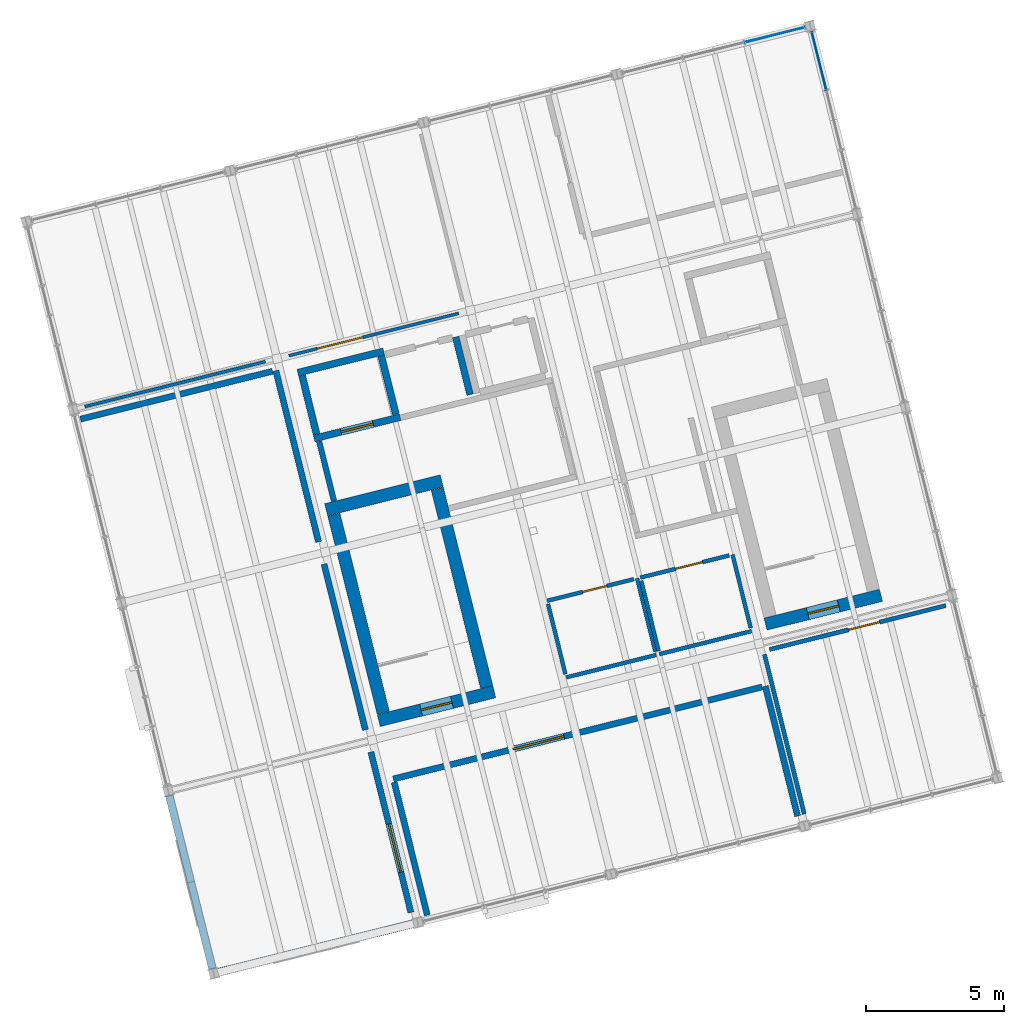
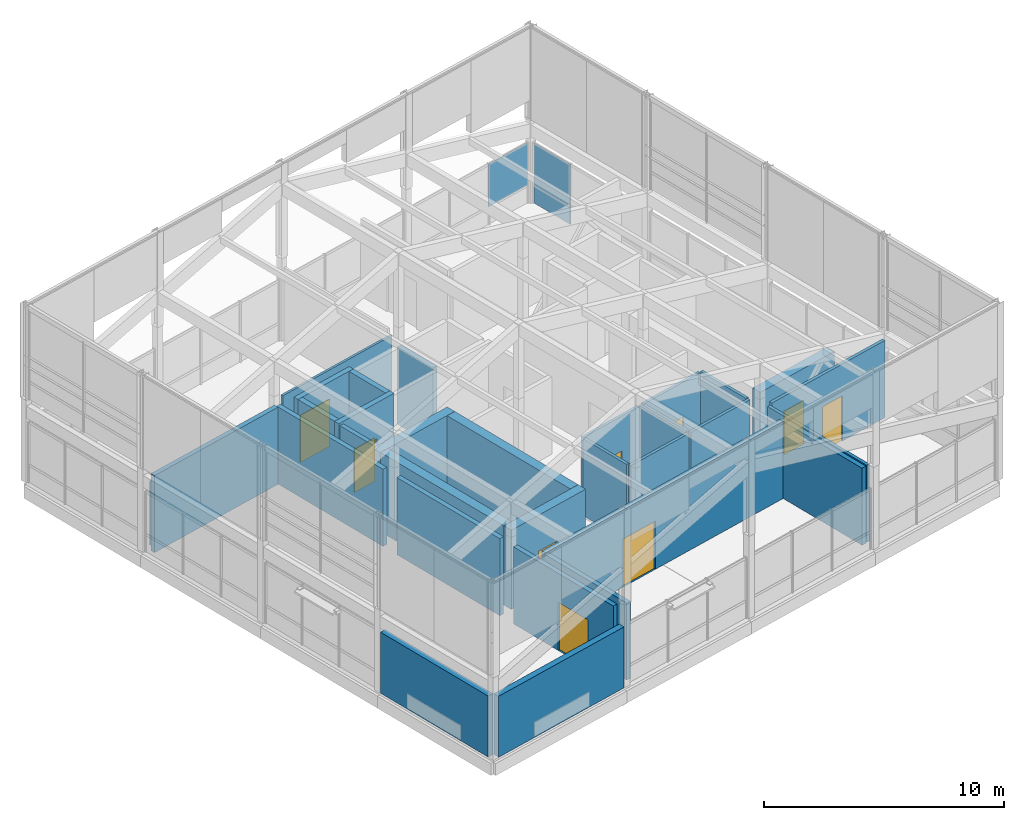
# One storey, part 29 of 31: 32 walls, 9 doors, 3 plates, 9 openings, 2 elements without a shape of their own.
"""IFC4 building model written with IfcOpenShell, lengths in metres."""

from ifc_helpers import new_model, si_unit, direction, frame, frame_2d, origin, origin_2d, place, context, subcontext, project, spatial, rectangle, extrude, material, layer, layer_set, type_object, element, fill, aggregate, save


model = new_model("IFC4")

# Units and contexts
model_context = context("Model", 3, precision=1e-05, world=origin(), true_north=direction((0.0, 1.0)))
body_context = subcontext(model_context, "Body", "Model", "MODEL_VIEW")
ifc_project = project(units=[si_unit("LENGTHUNIT", "METRE"), si_unit("AREAUNIT", "SQUARE_METRE"), si_unit("VOLUMEUNIT", "CUBIC_METRE"), si_unit("PLANEANGLEUNIT", "RADIAN"), si_unit("MASSUNIT", "GRAM", prefix="KILO")], contexts=[model_context])

# Site, building, storey
site_placement = place(None, origin())
site = spatial("IfcSite", under=ifc_project, at=site_placement, CompositionType="ELEMENT")
building_placement = place(site_placement, origin())
building = spatial("IfcBuilding", under=site, at=building_placement, Name="Meriwether Solvik Hall", CompositionType="ELEMENT")
storey_placement = place(building_placement, frame((0.0, 0.0, 61.199951171875)))
storey = spatial("IfcBuildingStorey", under=building, at=storey_placement, Name="L15", CompositionType="ELEMENT", Elevation=61.199951171875)

# Curtain wall, plate
ifc_material_1 = material(Name="Thermally Broken Anodised Aluminium 6063-T6 and Low-E Glass", Category="aluminium")
ifc_layer_1 = layer(ifc_material_1, 0.179931640625)
ifc_layer_set_1 = layer_set([ifc_layer_1], Name="Thermally Broken Anodised Aluminium 6063-T6 and Low-E Glass")
curtain_wall_type_1 = type_object("IfcCurtainWallType", Name="CW-UNIT-C", PredefinedType="USERDEFINED", material=ifc_layer_set_1)
curtain_wall_1_placement = place(storey_placement, origin())
curtain_wall_1 = element("IfcCurtainWall", 1, at=curtain_wall_1_placement, inside=storey, type_object=curtain_wall_type_1, Name="Curtain Wall E1_B3 (L15)", ObjectType="UNITISED CURTAIN WALL", PredefinedType="USERDEFINED")
ifc_material_2 = material(Name="Low-Emissivity Double-Glazed Laminated Glass", Category="glass")
ifc_layer_2 = layer(ifc_material_2, 0.031982421875)
ifc_layer_set_2 = layer_set([ifc_layer_2], Name="Low-Emissivity Double-Glazed Laminated Glass")
plate_type_1 = type_object("IfcPlateType", Name="PLT-GLZ-180X185", PredefinedType="CURTAIN_PANEL", material=ifc_layer_set_2)
plate_1_placement = place(storey_placement, frame((90.472900390625, 74.17236328125, 0.8798828125), z_axis=(0.0, 0.0, 1.0), x_axis=(0.241921925524, -0.970295718815, 0.0)))
plate_1 = element("IfcPlate", 2, at=plate_1_placement, type_object=plate_type_1, Name="Low-E Vision Glazing Panel 1", PredefinedType="CURTAIN_PANEL", context=body_context, shape_type="SweptSolid", body=[
    extrude(rectangle(XDim=2.17431640625, YDim=0.033935546875, at=origin_2d()), origin(), (0.0, 0.0, 1.0), 2.162109375),
])

ifc_material_3 = material(Name="Thermally Broken Anodised Aluminium 6063-T6 and Low-E Glass", Category="aluminium")
ifc_layer_3 = layer(ifc_material_3, 0.179931640625)
ifc_layer_set_3 = layer_set([ifc_layer_3], Name="Thermally Broken Anodised Aluminium 6063-T6 and Low-E Glass")
curtain_wall_type_2 = type_object("IfcCurtainWallType", Name="CW-UNIT-D", PredefinedType="USERDEFINED", material=ifc_layer_set_3)
curtain_wall_2_placement = place(storey_placement, origin())
curtain_wall_2 = element("IfcCurtainWall", 3, at=curtain_wall_2_placement, inside=storey, type_object=curtain_wall_type_2, Name="Curtain Wall E2_B3 (L15)", ObjectType="UNITISED CURTAIN WALL", PredefinedType="USERDEFINED")
plate_2_placement = place(storey_placement, frame((88.866455078125, 75.110107421875, 0.8798828125), z_axis=(0.0, 0.0, 1.0), x_axis=(0.970295730764, 0.241921877598, 0.0)))
plate_2 = element("IfcPlate", 4, at=plate_2_placement, type_object=plate_type_1, Name="Low-E Vision Glazing Panel 3", PredefinedType="CURTAIN_PANEL", context=body_context, shape_type="SweptSolid", body=[
    extrude(rectangle(XDim=2.240966796875, YDim=0.033935546875, at=origin_2d()), origin(), (0.0, 0.0, 1.0), 2.162109375),
])
aggregate(curtain_wall_2, [plate_2])

# Plate
ifc_material_4 = material(Name="Mineral-Wool Insulated Anodised Aluminium 6063-T6", Category="aluminium")
ifc_layer_4 = layer(ifc_material_4, 0.044921875)
ifc_layer_set_4 = layer_set([ifc_layer_4], Name="Mineral-Wool Insulated Anodised Aluminium 6063-T6")
plate_type_2 = type_object("IfcPlateType", Name="PLT-SPN-200X085", PredefinedType="CURTAIN_PANEL", material=ifc_layer_set_4)
plate_3_placement = place(storey_placement, frame((90.472900390625, 74.17236328125, 0.0), z_axis=(0.0, 0.0, 1.0), x_axis=(0.241921925524, -0.970295718815, 0.0)))
plate_3 = element("IfcPlate", 5, at=plate_3_placement, type_object=plate_type_2, Name="Insulated Spandrel Panel 1", PredefinedType="CURTAIN_PANEL", context=body_context, shape_type="SweptSolid", body=[
    extrude(rectangle(XDim=2.17431640625, YDim=0.044921875, at=origin_2d()), origin(), (0.0, 0.0, 1.0), 0.8798828125),
])

aggregate(curtain_wall_1, [plate_3, plate_1])

# Walls
ifc_material_5 = material(Name="Acoustic Mineral-Wool Double Gypsum Board", Category="gypsum")
ifc_layer_5 = layer(ifc_material_5, 0.219970703125)
ifc_layer_set_5 = layer_set([ifc_layer_5], Name="Acoustic Mineral-Wool Double Gypsum Board")
wall_type_1 = type_object("IfcWallType", Name="WALL-ACST-220", PredefinedType="PARTITIONING", material=ifc_layer_set_5)
wall_1_placement = place(storey_placement, frame((70.847900390625, 62.979248046875, 0.0), z_axis=(0.0, 0.0, 1.0), x_axis=(0.241922822951, -0.970295495061, 0.0)))
element("IfcWall", 6, at=wall_1_placement, inside=storey, type_object=wall_type_1, Name="L15 Interior Partition sym_15w_e", PredefinedType="PARTITIONING", context=body_context, shape_type="SweptSolid", body=[
    extrude(rectangle(XDim=6.375, YDim=0.219970703125, at=frame_2d((3.1875, 0.0))), origin(), (0.0, 0.0, 1.0), 3.920166015625),
])
wall_2_placement = place(storey_placement, frame((72.589599609375, 55.9931640625, 0.0), z_axis=(0.0, 0.0, 1.0), x_axis=(0.241921603562, -0.970295799089, 0.0)))
element("IfcWall", 7, at=wall_2_placement, inside=storey, type_object=wall_type_1, Name="L15 Interior Partition sym_15w_e_s2", PredefinedType="PARTITIONING", context=body_context, shape_type="SweptSolid", body=[
    extrude(rectangle(XDim=6.175048828125, YDim=0.219970703125, at=frame_2d((3.08740234375, 0.0))), origin(), (0.0, 0.0, 1.0), 3.920166015625),
])

# Wall, opening, door
wall_3_placement = place(storey_placement, frame((74.283203125, 49.201171875, 0.0), z_axis=(0.0, 0.0, 1.0), x_axis=(0.24192989378, -0.970293732071, 0.0)))
wall_3 = element("IfcWall", 8, at=wall_3_placement, inside=storey, type_object=wall_type_1, Name="L15 Interior Partition sym_15w_e_s3", PredefinedType="PARTITIONING", context=body_context, shape_type="SweptSolid", body=[
    extrude(rectangle(XDim=5.97509765625, YDim=0.219970703125, at=frame_2d((2.987548828125, 0.0))), origin(), (0.0, 0.0, 1.0), 3.920166015625),
])
opening_1_placement = place(wall_3_placement, frame((2.671875, 0.0, 0.0)))
opening_1 = element("IfcOpeningElement", 9, at=opening_1_placement, cuts=wall_3, Name="Opening D-182", PredefinedType="OPENING", context=body_context, shape_type="SweptSolid", body=[
    extrude(rectangle(XDim=1.800048828125, YDim=2.449951171875, at=frame_2d((0.89990234375, 1.22509765625))), frame((0.0, 0.1220703125, 0.0), z_axis=(0.0, -1.0, 0.0), x_axis=(1.0, 0.0, 0.0)), (0.0, 0.0, 1.0), 0.243896484375),
])
ifc_material_6 = material(Name="Solid-Core Rift White Oak Timber", Category="wood")
door_type_1 = type_object("IfcDoorType", Name="DR-AC-1800", OperationType="DOUBLE_DOOR_SINGLE_SWING", PredefinedType="DOOR", material=ifc_material_6)
door_1_placement = place(opening_1_placement, origin())
door_1 = element("IfcDoor", 10, at=door_1_placement, inside=storey, type_object=door_type_1, Name="L15 Civic Sky-Symposium Forum Hall Door", OperationType="DOUBLE_DOOR_SINGLE_SWING", OverallHeight=2.449951171875, OverallWidth=1.800048828125, PredefinedType="DOOR", context=body_context, shape_type="SweptSolid", body=[
    extrude(rectangle(XDim=1.800048828125, YDim=2.449951171875, at=frame_2d((0.89990234375, 1.22509765625))), frame((0.0, 0.02490234375, 0.0), z_axis=(0.0, -1.0, 0.0), x_axis=(1.0, 0.0, 0.0)), (0.0, 0.0, 1.0), 0.050048828125),
])
fill(opening_1, door_1)

# Walls
wall_4_placement = place(storey_placement, frame((70.728759765625, 62.96142578125, 0.0), z_axis=(0.0, 0.0, 1.0), x_axis=(-0.970292920146, -0.241933150092, 0.0)))
element("IfcWall", 11, at=wall_4_placement, inside=storey, type_object=wall_type_1, Name="L15 Interior Partition sym_15w_n", PredefinedType="PARTITIONING", context=body_context, shape_type="SweptSolid", body=[
    extrude(rectangle(XDim=7.151611328125, YDim=0.219970703125, at=frame_2d((3.57568359375, 0.0))), origin(), (0.0, 0.0, 1.0), 3.920166015625),
])
wall_5_placement = place(storey_placement, frame((89.700927734375, 46.88720703125, 0.0), z_axis=(0.0, 0.0, 1.0), x_axis=(-0.24194171914, 0.970290783497, 0.0)))
element("IfcWall", 12, at=wall_5_placement, inside=storey, type_object=wall_type_1, Name="L15 Interior Partition chp_15s_e", PredefinedType="PARTITIONING", context=body_context, shape_type="SweptSolid", body=[
    extrude(rectangle(XDim=4.836669921875, YDim=0.219970703125, at=frame_2d((2.41845703125, 0.0))), origin(), (0.0, 0.0, 1.0), 3.920166015625),
])

# Wall, opening, door
wall_6_placement = place(storey_placement, frame((75.09228515625, 48.2294921875, 0.0), z_axis=(0.0, 0.0, 1.0), x_axis=(0.970297105576, 0.241916363461, 0.0)))
wall_6 = element("IfcWall", 13, at=wall_6_placement, inside=storey, type_object=wall_type_1, Name="L15 Interior Partition chp_15s_n", PredefinedType="PARTITIONING", context=body_context, shape_type="SweptSolid", body=[
    extrude(rectangle(XDim=13.72998046875, YDim=0.219970703125, at=frame_2d((6.864990234375, 0.0))), origin(), (0.0, 0.0, 1.0), 3.920166015625),
])
opening_2_placement = place(wall_6_placement, frame((4.4560546875, 0.0, 0.0)))
opening_2 = element("IfcOpeningElement", 14, at=opening_2_placement, cuts=wall_6, Name="Opening D-156", PredefinedType="OPENING", context=body_context, shape_type="SweptSolid", body=[
    extrude(rectangle(XDim=1.89990234375, YDim=2.449951171875, at=frame_2d((0.949951171875, 1.22509765625))), frame((0.0, 0.1220703125, 0.0), z_axis=(0.0, -1.0, 0.0), x_axis=(1.0, 0.0, 0.0)), (0.0, 0.0, 1.0), 0.243896484375),
])
ifc_material_7 = material(Name="Solid-Core Rift White Oak Timber", Category="wood")
door_type_2 = type_object("IfcDoorType", Name="DR-HALL-1900", OperationType="DOUBLE_DOOR_SINGLE_SWING", PredefinedType="DOOR", material=ifc_material_7)
door_2_placement = place(opening_2_placement, origin())
door_2 = element("IfcDoor", 15, at=door_2_placement, inside=storey, type_object=door_type_2, Name="L15 Interfaith Sky Meditation Chapel Door", OperationType="DOUBLE_DOOR_SINGLE_SWING", OverallHeight=2.449951171875, OverallWidth=1.89990234375, PredefinedType="DOOR", context=body_context, shape_type="SweptSolid", body=[
    extrude(rectangle(XDim=1.89990234375, YDim=2.449951171875, at=frame_2d((0.949951171875, 1.22509765625))), frame((0.0, 0.02490234375, 0.0), z_axis=(0.0, -1.0, 0.0), x_axis=(1.0, 0.0, 0.0)), (0.0, 0.0, 1.0), 0.050048828125),
])
fill(opening_2, door_2)

# Walls
wall_7_placement = place(storey_placement, frame((75.121337890625, 48.113037109375, 0.0), z_axis=(0.0, 0.0, 1.0), x_axis=(0.241897488986, -0.970301811202, 0.0)))
element("IfcWall", 16, at=wall_7_placement, inside=storey, type_object=wall_type_1, Name="L15 Interior Partition chp_15s_w", PredefinedType="PARTITIONING", context=body_context, shape_type="SweptSolid", body=[
    extrude(rectangle(XDim=4.951416015625, YDim=0.219970703125, at=frame_2d((2.4755859375, 0.0))), origin(), (0.0, 0.0, 1.0), 3.920166015625),
])
ifc_material_8 = material(Name="Charred Western Red Cedar Timber and Mineral Wool", Category="wood")
ifc_layer_6 = layer(ifc_material_8, 0.27001953125)
ifc_layer_set_6 = layer_set([ifc_layer_6], Name="Charred Western Red Cedar Timber and Mineral Wool")
wall_type_2 = type_object("IfcWallType", Name="WALL-EXT-270", PredefinedType="SOLIDWALL", material=ifc_layer_set_6)
wall_8_placement = place(storey_placement, frame((68.55908203125, 41.364501953125, 0.0), z_axis=(0.0, 0.0, 1.0), x_axis=(-0.24194877415, 0.970289024305, 0.0)))
element("IfcWall", 17, at=wall_8_placement, inside=storey, type_object=wall_type_2, Name="L15 Timber Rainscreen Wall 4.0", PredefinedType="SOLIDWALL", context=body_context, shape_type="SweptSolid", body=[
    extrude(rectangle(XDim=6.4609375, YDim=0.27001953125, at=frame_2d((3.23046875, 0.0))), origin(), (0.0, 0.0, 1.0), 3.10205078125),
])
ifc_material_9 = material(Name="Cross-Laminated Timber and Mineral-Wool Insulation", Category="wood")
ifc_layer_7 = layer(ifc_material_9, 0.2900390625)
ifc_layer_set_7 = layer_set([ifc_layer_7], Name="Cross-Laminated Timber and Mineral-Wool Insulation")
wall_type_3 = type_object("IfcWallType", Name="WALL-EXT-290", PredefinedType="SOLIDWALL", material=ifc_layer_set_7)
wall_9_placement = place(storey_placement, frame((75.809814453125, 42.99755859375, 0.0), z_axis=(0.0, 0.0, 1.0), x_axis=(-0.970296574767, -0.241918492461, 0.0)))
element("IfcWall", 18, at=wall_9_placement, inside=storey, type_object=wall_type_3, Name="L15 Timber Rainscreen Wall 1.0", PredefinedType="SOLIDWALL", context=body_context, shape_type="SweptSolid", body=[
    extrude(rectangle(XDim=7.260986328125, YDim=0.2900390625, at=frame_2d((3.63037109375, 0.0))), origin(), (0.0, 0.0, 1.0), 3.10205078125),
])
ifc_material_10 = material(Name="Fire-Rated Type X Gypsum Board", Category="gypsum")
ifc_layer_8 = layer(ifc_material_10, 0.199951171875)
ifc_layer_set_8 = layer_set([ifc_layer_8], Name="Fire-Rated Type X Gypsum Board")
wall_type_4 = type_object("IfcWallType", Name="WALL-FIRE-200", PredefinedType="STANDARD", material=ifc_layer_set_8)
wall_10_placement = place(storey_placement, frame((72.94970703125, 58.269287109375, 0.0), z_axis=(0.0, 0.0, 1.0), x_axis=(-0.24194311862, 0.970290434536, 0.0)))
element("IfcWall", 19, at=wall_10_placement, inside=storey, type_object=wall_type_4, Name="L15 Interior Partition lb1_w", PredefinedType="STANDARD", context=body_context, shape_type="SweptSolid", body=[
    extrude(rectangle(XDim=2.22998046875, YDim=0.199951171875, at=frame_2d((1.114990234375, 0.0))), origin(), (0.0, 0.0, 1.0), 3.920166015625),
])
ifc_material_11 = material(Name="Tempered Laminated Glass in Anodised Aluminium Frame", Category="aluminium")
ifc_layer_9 = layer(ifc_material_11, 0.112060546875)
ifc_layer_set_9 = layer_set([ifc_layer_9], Name="Tempered Laminated Glass in Anodised Aluminium Frame")
wall_type_5 = type_object("IfcWallType", Name="WALL-GLZ-112", PredefinedType="PARTITIONING", material=ifc_layer_set_9)
wall_11_placement = place(storey_placement, frame((63.945068359375, 61.682373046875, 0.0), z_axis=(0.0, 0.0, 1.0), x_axis=(0.970296103345, 0.241920383252, 0.0)))
element("IfcWall", 20, at=wall_11_placement, inside=storey, type_object=wall_type_5, Name="L15 Interior Partition sal_15nw_s", PredefinedType="PARTITIONING", context=body_context, shape_type="SweptSolid", body=[
    extrude(rectangle(XDim=6.72314453125, YDim=0.112060546875, at=frame_2d((3.361572265625, 0.0))), origin(), (0.0, 0.0, 1.0), 3.243896484375),
])

# Wall, opening, door
wall_12_placement = place(storey_placement, frame((71.3193359375, 63.52099609375, 0.0), z_axis=(0.0, 0.0, 1.0), x_axis=(0.970301279298, 0.241899622555, 0.0)))
wall_12 = element("IfcWall", 21, at=wall_12_placement, inside=storey, type_object=wall_type_5, Name="L15 Interior Partition sal_15nw_s_s2", PredefinedType="PARTITIONING", context=body_context, shape_type="SweptSolid", body=[
    extrude(rectangle(XDim=6.322998046875, YDim=0.112060546875, at=frame_2d((3.16162109375, 0.0))), origin(), (0.0, 0.0, 1.0), 3.920166015625),
])
opening_3_placement = place(wall_12_placement, frame((1.050537109375, 0.0, 0.0)))
opening_3 = element("IfcOpeningElement", 22, at=opening_3_placement, cuts=wall_12, Name="Opening D-114", PredefinedType="OPENING", context=body_context, shape_type="SweptSolid", body=[
    extrude(rectangle(XDim=1.699951171875, YDim=2.39990234375, at=frame_2d((0.85009765625, 1.199951171875))), frame((0.0, 0.06787109375, 0.0), z_axis=(0.0, -1.0, 0.0), x_axis=(1.0, 0.0, 0.0)), (0.0, 0.0, 1.0), 0.135986328125),
])
ifc_material_12 = material(Name="Laminated Vision Glass and Solid White Oak Timber", Category="wood")
door_type_3 = type_object("IfcDoorType", Name="DR-GAL-1700", OperationType="DOUBLE_DOOR_SINGLE_SWING", PredefinedType="DOOR", material=ifc_material_12)
door_3_placement = place(opening_3_placement, origin())
door_3 = element("IfcDoor", 23, at=door_3_placement, inside=storey, type_object=door_type_3, Name="L15 Observatory Reading Salon Door", OperationType="DOUBLE_DOOR_SINGLE_SWING", OverallHeight=2.39990234375, OverallWidth=1.699951171875, PredefinedType="DOOR", context=body_context, shape_type="SweptSolid", body=[
    extrude(rectangle(XDim=1.699951171875, YDim=2.39990234375, at=frame_2d((0.85009765625, 1.199951171875))), frame((0.0, 0.02490234375, 0.0), z_axis=(0.0, -1.0, 0.0), x_axis=(1.0, 0.0, 0.0)), (0.0, 0.0, 1.0), 0.050048828125),
])
fill(opening_3, door_3)

# Walls
ifc_material_13 = material(Name="Concrete C40/50", Category="concrete")
ifc_layer_10 = layer(ifc_material_13, 0.25)
ifc_layer_set_10 = layer_set([ifc_layer_10], Name="Concrete C40/50")
wall_type_6 = type_object("IfcWallType", Name="WALL-HOIST-250", PredefinedType="SHEAR", material=ifc_layer_set_10)
wall_13_placement = place(storey_placement, frame((74.744384765625, 63.67919921875, 0.0), z_axis=(0.0, 0.0, 1.0), x_axis=(-0.970294894235, -0.241925232711, 0.0)))
element("IfcWall", 24, at=wall_13_placement, inside=storey, type_object=wall_type_6, Name="Hoistway BANK1 North Wall (L15)", PredefinedType="SHEAR", context=body_context, shape_type="SweptSolid", body=[
    extrude(rectangle(XDim=3.199951171875, YDim=0.25, at=frame_2d((1.60009765625, 0.0))), origin(), (0.0, 0.0, 1.0), 4.031982421875),
])
for number, where, z_axis, x_axis, name in (
    (25, (71.793212890625, 62.80419921875, 0.0), (0.0, 0.0, 1.0), (0.242008581424, -0.970274108959, 0.0), "Hoistway BANK1 West Wall (L15)"),
    (26, (75.18310546875, 61.402587890625, 0.0), (0.0, 0.0, 1.0), (-0.241903146974, 0.970300400641, 0.0), "Hoistway BANK1 East Wall (L15)"),
):
    element("IfcWall", number, at=place(storey_placement, frame(where, z_axis=z_axis, x_axis=x_axis)), inside=storey, type_object=wall_type_6, Name=name, PredefinedType="SHEAR", context=body_context, shape_type="SweptSolid", body=[
        extrude(rectangle(XDim=2.179931640625, YDim=0.25, at=frame_2d((1.08984375, 0.0))), origin(), (0.0, 0.0, 1.0), 4.031982421875),
    ])

# Wall, opening, door
wall_14_placement = place(storey_placement, frame((72.232177734375, 60.52783203125, 0.0), z_axis=(0.0, 0.0, 1.0), x_axis=(0.970290428474, 0.241943142934, 0.0)))
wall_14 = element("IfcWall", 27, at=wall_14_placement, inside=storey, type_object=wall_type_6, Name="Lift LF-01 Landing Wall (L15)", PredefinedType="SHEAR", context=body_context, shape_type="SweptSolid", body=[
    extrude(rectangle(XDim=3.19970703125, YDim=0.25, at=frame_2d((1.599853515625, 0.0))), origin(), (0.0, 0.0, 1.0), 4.031982421875),
])
opening_4_placement = place(wall_14_placement, frame((1.0, 0.0, 0.0)))
opening_4 = element("IfcOpeningElement", 28, at=opening_4_placement, cuts=wall_14, Name="Opening LD-01", PredefinedType="OPENING", context=body_context, shape_type="SweptSolid", body=[
    extrude(rectangle(XDim=1.199951171875, YDim=2.199951171875, at=frame_2d((0.60009765625, 1.10009765625))), frame((0.0, 0.136962890625, 0.0), z_axis=(0.0, -1.0, 0.0), x_axis=(1.0, 0.0, 0.0)), (0.0, 0.0, 1.0), 0.27392578125),
])
ifc_material_14 = material(Name="Stainless Steel AISI 316", Category="steel")
door_type_4 = type_object("IfcDoorType", Name="DR-LIFT-FSAE", OperationType="DOUBLE_DOOR_SLIDING", PredefinedType="DOOR", material=ifc_material_14)
door_4_placement = place(opening_4_placement, origin())
door_4 = element("IfcDoor", 29, at=door_4_placement, inside=storey, type_object=door_type_4, Name="Lift Landing Door LF-01 (L15)", OperationType="DOUBLE_DOOR_SLIDING", OverallHeight=2.199951171875, OverallWidth=1.199951171875, PredefinedType="DOOR", context=body_context, shape_type="SweptSolid", body=[
    extrude(rectangle(XDim=1.199951171875, YDim=2.199951171875, at=frame_2d((0.60009765625, 1.10009765625))), frame((0.0, 0.02490234375, 0.0), z_axis=(0.0, -1.0, 0.0), x_axis=(1.0, 0.0, 0.0)), (0.0, 0.0, 1.0), 0.050048828125),
])
fill(opening_4, door_4)

ifc_material_15 = material(Name="Gypsum Board Partition", Category="gypsum")
ifc_layer_11 = layer(ifc_material_15, 0.14990234375)
ifc_layer_set_11 = layer_set([ifc_layer_11], Name="Gypsum Board Partition")
wall_type_7 = type_object("IfcWallType", Name="WALL-PART-150", PredefinedType="PARTITIONING", material=ifc_layer_set_11)
wall_15_placement = place(storey_placement, frame((95.048583984375, 54.493408203125, 0.0), z_axis=(0.0, 0.0, 1.0), x_axis=(-0.970297738751, -0.241913823861, 0.0)))
wall_15 = element("IfcWall", 30, at=wall_15_placement, inside=storey, type_object=wall_type_7, Name="L15 Interior Partition sem_15se_n", PredefinedType="PARTITIONING", context=body_context, shape_type="SweptSolid", body=[
    extrude(rectangle(XDim=6.559814453125, YDim=0.14990234375, at=frame_2d((3.27978515625, 0.0))), origin(), (0.0, 0.0, 1.0), 3.920166015625),
])
opening_5_placement = place(wall_15_placement, frame((2.46630859375, 0.0, 0.0)))
opening_5 = element("IfcOpeningElement", 31, at=opening_5_placement, cuts=wall_15, Name="Opening D-149", PredefinedType="OPENING", context=body_context, shape_type="SweptSolid", body=[
    extrude(rectangle(XDim=1.14990234375, YDim=2.300048828125, at=frame_2d((0.574951171875, 1.14990234375))), frame((0.0, 0.0869140625, 0.0), z_axis=(0.0, -1.0, 0.0), x_axis=(1.0, 0.0, 0.0)), (0.0, 0.0, 1.0), 0.173828125),
])
ifc_material_16 = material(Name="Laminated Vision Glass and Solid White Oak Timber", Category="wood")
door_type_5 = type_object("IfcDoorType", Name="DR-SEM-1150L", OperationType="SINGLE_SWING_LEFT", PredefinedType="DOOR", material=ifc_material_16)
door_5_placement = place(opening_5_placement, origin())
door_5 = element("IfcDoor", 32, at=door_5_placement, inside=storey, type_object=door_type_5, Name="L15 Crown Executive Seminar Room Door", OperationType="SINGLE_SWING_LEFT", OverallHeight=2.300048828125, OverallWidth=1.14990234375, PredefinedType="DOOR", context=body_context, shape_type="SweptSolid", body=[
    extrude(rectangle(XDim=1.14990234375, YDim=2.300048828125, at=frame_2d((0.574951171875, 1.14990234375))), frame((0.0, 0.02490234375, 0.0), z_axis=(0.0, -1.0, 0.0), x_axis=(1.0, 0.0, 0.0)), (0.0, 0.0, 1.0), 0.050048828125),
])
fill(opening_5, door_5)

# Wall
wall_16_placement = place(storey_placement, frame((88.501708984375, 52.730712890625, 0.0), z_axis=(0.0, 0.0, 1.0), x_axis=(0.241897899568, -0.970301708843, 0.0)))
element("IfcWall", 33, at=wall_16_placement, inside=storey, type_object=wall_type_7, Name="L15 Interior Partition sem_15se_w", PredefinedType="PARTITIONING", context=body_context, shape_type="SweptSolid", body=[
    extrude(rectangle(XDim=5.945556640625, YDim=0.14990234375, at=frame_2d((2.97265625, 0.0))), origin(), (0.0, 0.0, 1.0), 3.920166015625),
])

# Wall, opening, door
ifc_material_17 = material(Name="Concrete C45/55", Category="concrete")
ifc_layer_12 = layer(ifc_material_17, 0.449951171875)
ifc_layer_set_12 = layer_set([ifc_layer_12], Name="Concrete C45/55")
wall_type_8 = type_object("IfcWallType", Name="WALL-RC-450", PredefinedType="SHEAR", material=ifc_layer_set_12)
wall_17_placement = place(storey_placement, frame((74.566162109375, 50.33984375, 0.0), z_axis=(0.0, 0.0, 1.0), x_axis=(0.970292610647, 0.241934391361, 0.0)))
wall_17 = element("IfcWall", 34, at=wall_17_placement, inside=storey, type_object=wall_type_8, Name="CORE-1 Shear Wall S (L15)", PredefinedType="SHEAR", context=body_context, shape_type="SweptSolid", body=[
    extrude(rectangle(XDim=4.2998046875, YDim=0.449951171875, at=frame_2d((2.14990234375, 0.0))), origin(), (0.0, 0.0, 1.0), 4.031982421875),
])
opening_6_placement = place(wall_17_placement, frame((1.574951171875, 0.0, 0.0)))
opening_6 = element("IfcOpeningElement", 35, at=opening_6_placement, cuts=wall_17, Name="Opening D-189", PredefinedType="OPENING", context=body_context, shape_type="SweptSolid", body=[
    extrude(rectangle(XDim=1.14990234375, YDim=2.199951171875, at=frame_2d((0.574951171875, 1.10009765625))), frame((0.0, 0.23681640625, 0.0), z_axis=(0.0, -1.0, 0.0), x_axis=(1.0, 0.0, 0.0)), (0.0, 0.0, 1.0), 0.473876953125),
])
ifc_material_18 = material(Name="Steel A36 Galvanised", Category="steel")
door_type_6 = type_object("IfcDoorType", Name="DR-FD90-1150L", OperationType="SINGLE_SWING_LEFT", PredefinedType="DOOR", material=ifc_material_18)
door_6_placement = place(opening_6_placement, origin())
door_6 = element("IfcDoor", 36, at=door_6_placement, inside=storey, type_object=door_type_6, Name="Stair ST-01 Smokeproof Exit Door (L15)", OperationType="SINGLE_SWING_LEFT", OverallHeight=2.199951171875, OverallWidth=1.14990234375, PredefinedType="DOOR", context=body_context, shape_type="SweptSolid", body=[
    extrude(rectangle(XDim=1.14990234375, YDim=2.199951171875, at=frame_2d((0.574951171875, 1.10009765625))), frame((0.0, 0.02490234375, 0.0), z_axis=(0.0, -1.0, 0.0), x_axis=(1.0, 0.0, 0.0)), (0.0, 0.0, 1.0), 0.050048828125),
])
fill(opening_6, door_6)

# Walls
wall_18_placement = place(storey_placement, frame((76.83935546875, 58.996826171875, 0.0), z_axis=(0.0, 0.0, 1.0), x_axis=(-0.970295933763, -0.241921063415, 0.0)))
element("IfcWall", 37, at=wall_18_placement, inside=storey, type_object=wall_type_8, Name="CORE-1 Shear Wall N (L15)", PredefinedType="SHEAR", context=body_context, shape_type="SweptSolid", body=[
    extrude(rectangle(XDim=4.300048828125, YDim=0.449951171875, at=frame_2d((2.14990234375, 0.0))), origin(), (0.0, 0.0, 1.0), 4.031982421875),
])
for number, where, z_axis, x_axis, name in (
    (38, (72.942138671875, 57.782958984375, 0.0), (0.0, 0.0, 1.0), (0.241928426141, -0.970294098006, 0.0), "CORE-1 Shear Wall W (L15)"),
    (39, (78.463134765625, 51.5537109375, 0.0), (0.0, 0.0, 1.0), (-0.241928426141, 0.970294098006, 0.0), "CORE-1 Shear Wall E (L15)"),
):
    element("IfcWall", number, at=place(storey_placement, frame(where, z_axis=z_axis, x_axis=x_axis)), inside=storey, type_object=wall_type_8, Name=name, PredefinedType="SHEAR", context=body_context, shape_type="SweptSolid", body=[
        extrude(rectangle(XDim=7.3798828125, YDim=0.449951171875, at=frame_2d((3.68994140625, 0.0))), origin(), (0.0, 0.0, 1.0), 4.031982421875),
    ])

# Wall, opening, door
wall_19_placement = place(storey_placement, frame((88.538330078125, 53.823486328125, 0.0), z_axis=(0.0, 0.0, 1.0), x_axis=(0.970295933763, 0.241921063415, 0.0)))
wall_19 = element("IfcWall", 40, at=wall_19_placement, inside=storey, type_object=wall_type_8, Name="CORE-2 Shear Wall S (L15)", PredefinedType="SHEAR", context=body_context, shape_type="SweptSolid", body=[
    extrude(rectangle(XDim=4.300048828125, YDim=0.449951171875, at=frame_2d((2.14990234375, 0.0))), origin(), (0.0, 0.0, 1.0), 4.031982421875),
])
opening_7_placement = place(wall_19_placement, frame((1.574951171875, 0.0, 0.0)))
opening_7 = element("IfcOpeningElement", 41, at=opening_7_placement, cuts=wall_19, Name="Opening D-148", PredefinedType="OPENING", context=body_context, shape_type="SweptSolid", body=[
    extrude(rectangle(XDim=1.14990234375, YDim=2.199951171875, at=frame_2d((0.574951171875, 1.10009765625))), frame((0.0, 0.23681640625, 0.0), z_axis=(0.0, -1.0, 0.0), x_axis=(1.0, 0.0, 0.0)), (0.0, 0.0, 1.0), 0.473876953125),
])
ifc_material_19 = material(Name="Steel A36 Galvanised", Category="steel")
door_type_7 = type_object("IfcDoorType", Name="DR-FD90-1150R", OperationType="SINGLE_SWING_RIGHT", PredefinedType="DOOR", material=ifc_material_19)
door_7_placement = place(opening_7_placement, origin())
door_7 = element("IfcDoor", 42, at=door_7_placement, inside=storey, type_object=door_type_7, Name="Stair ST-02 Smokeproof Exit Door (L15)", OperationType="SINGLE_SWING_RIGHT", OverallHeight=2.199951171875, OverallWidth=1.14990234375, PredefinedType="DOOR", context=body_context, shape_type="SweptSolid", body=[
    extrude(rectangle(XDim=1.14990234375, YDim=2.199951171875, at=frame_2d((0.574951171875, 1.10009765625))), frame((0.0, 0.02490234375, 0.0), z_axis=(0.0, -1.0, 0.0), x_axis=(1.0, 0.0, 0.0)), (0.0, 0.0, 1.0), 0.050048828125),
])
fill(opening_7, door_7)

# Walls
ifc_material_20 = material(Name="Concrete C35/45", Category="concrete")
ifc_layer_13 = layer(ifc_material_20, 0.239990234375)
ifc_layer_set_13 = layer_set([ifc_layer_13], Name="Concrete C35/45")
wall_type_9 = type_object("IfcWallType", Name="WALL-SHAFT-240", PredefinedType="STANDARD", material=ifc_layer_set_13)
wall_20_placement = place(storey_placement, frame((77.865966796875, 62.11279296875, 0.0), z_axis=(0.0, 0.0, 1.0), x_axis=(-0.2418676095, 0.970309259708, 0.0)))
element("IfcWall", 43, at=wall_20_placement, inside=storey, type_object=wall_type_9, Name="L15 Interior Partition riser1_e", PredefinedType="STANDARD", context=body_context, shape_type="SweptSolid", body=[
    extrude(rectangle(XDim=2.14990234375, YDim=0.239990234375, at=frame_2d((1.074951171875, 0.0))), origin(), (0.0, 0.0, 1.0), 3.920166015625),
])
ifc_material_21 = material(Name="Moisture-Resistant Gypsum Board", Category="gypsum")
ifc_layer_14 = layer(ifc_material_21, 0.139892578125)
ifc_layer_set_14 = layer_set([ifc_layer_14], Name="Moisture-Resistant Gypsum Board")
wall_type_10 = type_object("IfcWallType", Name="WALL-WET-140", PredefinedType="PLUMBINGWALL", material=ifc_layer_set_14)
wall_21_placement = place(storey_placement, frame((81.33984375, 51.89990234375, 0.0), z_axis=(0.0, 0.0, 1.0), x_axis=(0.970288079516, 0.241952563016, 0.0)))
element("IfcWall", 44, at=wall_21_placement, inside=storey, type_object=wall_type_10, Name="L15 Interior Partition wc_m_s", PredefinedType="PLUMBINGWALL", context=body_context, shape_type="SweptSolid", body=[
    extrude(rectangle(XDim=3.35009765625, YDim=0.139892578125, at=frame_2d((1.675048828125, 0.0))), origin(), (0.0, 0.0, 1.0), 3.920166015625),
])
wall_22_placement = place(storey_placement, frame((84.561279296875, 52.82666015625, 0.0), z_axis=(0.0, 0.0, 1.0), x_axis=(-0.241904313116, 0.970300109912, 0.0)))
element("IfcWall", 45, at=wall_22_placement, inside=storey, type_object=wall_type_10, Name="L15 Interior Partition wc_m_e", PredefinedType="PLUMBINGWALL", context=body_context, shape_type="SweptSolid", body=[
    extrude(rectangle(XDim=2.72998046875, YDim=0.139892578125, at=frame_2d((1.364990234375, 0.0))), origin(), (0.0, 0.0, 1.0), 3.920166015625),
])

# Wall, opening, door
wall_23_placement = place(storey_placement, frame((83.784423828125, 55.446533203125, 0.0), z_axis=(0.0, 0.0, 1.0), x_axis=(-0.970306789251, -0.241877520106, 0.0)))
wall_23 = element("IfcWall", 46, at=wall_23_placement, inside=storey, type_object=wall_type_10, Name="L15 Interior Partition wc_m_n", PredefinedType="PLUMBINGWALL", context=body_context, shape_type="SweptSolid", body=[
    extrude(rectangle(XDim=3.22998046875, YDim=0.139892578125, at=frame_2d((1.614990234375, 0.0))), origin(), (0.0, 0.0, 1.0), 3.920166015625),
])
opening_8_placement = place(wall_23_placement, frame((1.008544921875, 0.0, 0.0)))
opening_8 = element("IfcOpeningElement", 47, at=opening_8_placement, cuts=wall_23, Name="Opening D-174", PredefinedType="OPENING", context=body_context, shape_type="SweptSolid", body=[
    extrude(rectangle(XDim=0.89990234375, YDim=2.14990234375, at=frame_2d((0.449951171875, 1.074951171875))), frame((0.0, 0.08203125, 0.0), z_axis=(0.0, -1.0, 0.0), x_axis=(1.0, 0.0, 0.0)), (0.0, 0.0, 1.0), 0.163818359375),
])
ifc_material_22 = material(Name="Solid-Core Rift White Oak Timber", Category="wood")
door_type_8 = type_object("IfcDoorType", Name="DR-WC-900L", OperationType="SINGLE_SWING_LEFT", PredefinedType="DOOR", material=ifc_material_22)
door_8_placement = place(opening_8_placement, origin())
door_8 = element("IfcDoor", 48, at=door_8_placement, inside=storey, type_object=door_type_8, Name="L15 Restrooms Door", OperationType="SINGLE_SWING_LEFT", OverallHeight=2.14990234375, OverallWidth=0.89990234375, PredefinedType="DOOR", context=body_context, shape_type="SweptSolid", body=[
    extrude(rectangle(XDim=0.89990234375, YDim=2.14990234375, at=frame_2d((0.449951171875, 1.074951171875))), frame((0.0, 0.02490234375, 0.0), z_axis=(0.0, -1.0, 0.0), x_axis=(1.0, 0.0, 0.0)), (0.0, 0.0, 1.0), 0.050048828125),
])
fill(opening_8, door_8)

# Walls
wall_24_placement = place(storey_placement, frame((80.679443359375, 54.548828125, 0.0), z_axis=(0.0, 0.0, 1.0), x_axis=(0.241897292077, -0.970301860292, 0.0)))
element("IfcWall", 49, at=wall_24_placement, inside=storey, type_object=wall_type_10, Name="L15 Interior Partition wc_m_w", PredefinedType="PLUMBINGWALL", context=body_context, shape_type="SweptSolid", body=[
    extrude(rectangle(XDim=2.60986328125, YDim=0.139892578125, at=frame_2d((1.304931640625, 0.0))), origin(), (0.0, 0.0, 1.0), 3.920166015625),
])
wall_25_placement = place(storey_placement, frame((84.706787109375, 52.7392578125, 0.0), z_axis=(0.0, 0.0, 1.0), x_axis=(0.970293041833, 0.241932662059, 0.0)))
element("IfcWall", 50, at=wall_25_placement, inside=storey, type_object=wall_type_10, Name="L15 Interior Partition wc_a_s", PredefinedType="PLUMBINGWALL", context=body_context, shape_type="SweptSolid", body=[
    extrude(rectangle(XDim=3.429931640625, YDim=0.139892578125, at=frame_2d((1.71484375, 0.0))), origin(), (0.0, 0.0, 1.0), 3.920166015625),
])
wall_26_placement = place(storey_placement, frame((88.005859375, 53.685546875, 0.0), z_axis=(0.0, 0.0, 1.0), x_axis=(-0.241904313116, 0.970300109912, 0.0)))
element("IfcWall", 51, at=wall_26_placement, inside=storey, type_object=wall_type_10, Name="L15 Interior Partition wc_a_e", PredefinedType="PLUMBINGWALL", context=body_context, shape_type="SweptSolid", body=[
    extrude(rectangle(XDim=2.72998046875, YDim=0.139892578125, at=frame_2d((1.364990234375, 0.0))), origin(), (0.0, 0.0, 1.0), 3.920166015625),
])

# Wall, opening, door
wall_27_placement = place(storey_placement, frame((87.22900390625, 56.305419921875, 0.0), z_axis=(0.0, 0.0, 1.0), x_axis=(-0.970294165893, -0.241928153868, 0.0)))
wall_27 = element("IfcWall", 52, at=wall_27_placement, inside=storey, type_object=wall_type_10, Name="L15 Interior Partition wc_a_n", PredefinedType="PLUMBINGWALL", context=body_context, shape_type="SweptSolid", body=[
    extrude(rectangle(XDim=3.31005859375, YDim=0.139892578125, at=frame_2d((1.655029296875, 0.0))), origin(), (0.0, 0.0, 1.0), 3.920166015625),
])
opening_9_placement = place(wall_27_placement, frame((1.0, 0.0, 0.0)))
opening_9 = element("IfcOpeningElement", 53, at=opening_9_placement, cuts=wall_27, Name="Opening D-140", PredefinedType="OPENING", context=body_context, shape_type="SweptSolid", body=[
    extrude(rectangle(XDim=1.0, YDim=2.14990234375, at=frame_2d((0.5, 1.074951171875))), frame((0.0, 0.08203125, 0.0), z_axis=(0.0, -1.0, 0.0), x_axis=(1.0, 0.0, 0.0)), (0.0, 0.0, 1.0), 0.163818359375),
])
ifc_material_23 = material(Name="Solid-Core Rift White Oak Timber", Category="wood")
door_type_9 = type_object("IfcDoorType", Name="DR-ACC-1000L", OperationType="SINGLE_SWING_LEFT", PredefinedType="DOOR", material=ifc_material_23)
door_9_placement = place(opening_9_placement, origin())
door_9 = element("IfcDoor", 54, at=door_9_placement, inside=storey, type_object=door_type_9, Name="L15 Accessible WC Door", OperationType="SINGLE_SWING_LEFT", OverallHeight=2.14990234375, OverallWidth=1.0, PredefinedType="DOOR", context=body_context, shape_type="SweptSolid", body=[
    extrude(rectangle(XDim=1.0, YDim=2.14990234375, at=frame_2d((0.5, 1.074951171875))), frame((0.0, 0.02490234375, 0.0), z_axis=(0.0, -1.0, 0.0), x_axis=(1.0, 0.0, 0.0)), (0.0, 0.0, 1.0), 0.050048828125),
])
fill(opening_9, door_9)

# Wall
wall_28_placement = place(storey_placement, frame((84.04638671875, 55.38818359375, 0.0), z_axis=(0.0, 0.0, 1.0), x_axis=(0.241897292077, -0.970301860292, 0.0)))
element("IfcWall", 55, at=wall_28_placement, inside=storey, type_object=wall_type_10, Name="L15 Interior Partition wc_a_w", PredefinedType="PLUMBINGWALL", context=body_context, shape_type="SweptSolid", body=[
    extrude(rectangle(XDim=2.60986328125, YDim=0.139892578125, at=frame_2d((1.304931640625, 0.0))), origin(), (0.0, 0.0, 1.0), 3.920166015625),
])

save(model, "model.ifc")
